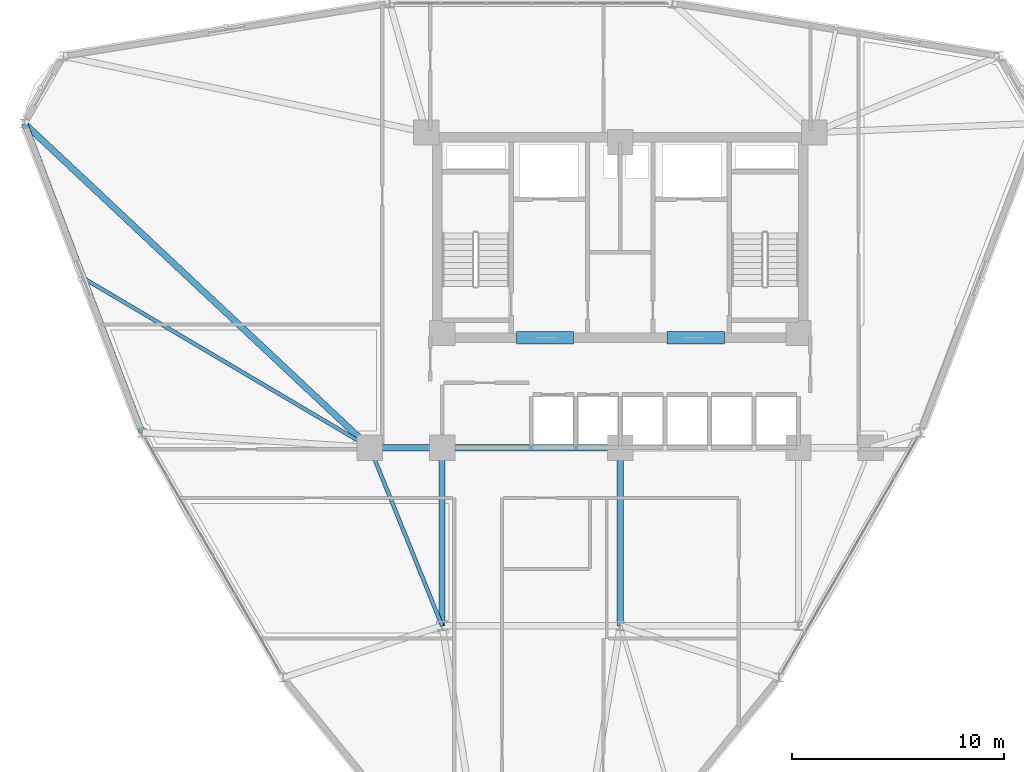
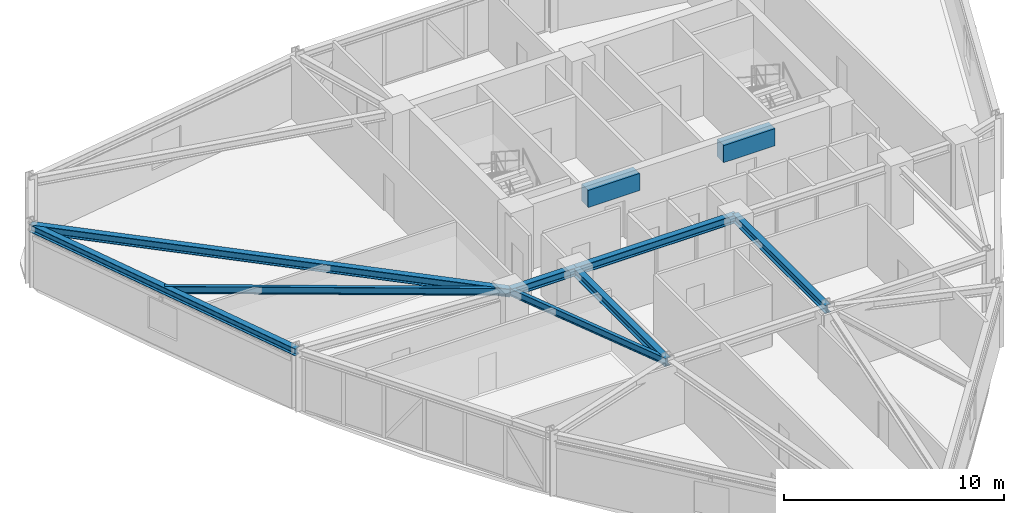
# One storey, part 5 of 18: 10 beams.
"""IFC4 building model written with IfcOpenShell, lengths in metres."""

from ifc_helpers import new_model, si_unit, derived_unit, direction, frame, origin, origin_2d, place, context, subcontext, project, spatial, rectangle, i_section, extrude, source, transform, mapped, material, material_profile, profile_set, type_object, element, save


model = new_model("IFC4")

# Units and contexts
model_context = context("Model", 3, precision=1e-05, world=origin(), true_north=direction((0.0, 1.0)))
body_context = subcontext(model_context, "Body", "Model", "MODEL_VIEW")
ifc_project = project(units=[si_unit("LENGTHUNIT", "METRE"), si_unit("AREAUNIT", "SQUARE_METRE"), si_unit("VOLUMEUNIT", "CUBIC_METRE"), si_unit("PLANEANGLEUNIT", "RADIAN"), si_unit("MASSUNIT", "GRAM", prefix="KILO"), derived_unit("THERMALTRANSMITTANCEUNIT", [(si_unit("POWERUNIT", "WATT"), 1), (si_unit("LENGTHUNIT", "METRE"), -2), (si_unit("THERMODYNAMICTEMPERATUREUNIT", "KELVIN"), -1)])], contexts=[model_context])

# Site, building, storey
site_placement = place(None, origin())
site = spatial("IfcSite", under=ifc_project, at=site_placement, CompositionType="ELEMENT")
building_placement = place(site_placement, origin())
building = spatial("IfcBuilding", under=site, at=building_placement, Name="Korsvarv Bourse and Concert Hall", CompositionType="ELEMENT")
storey_placement = place(building_placement, frame((0.0, 0.0, 139.800048828125)))
storey = spatial("IfcBuildingStorey", under=building, at=storey_placement, Name="L35", CompositionType="ELEMENT", Elevation=139.800048828125)

# Beams
ifc_material_1 = material(Name="Concrete C55/67", Category="concrete")
ifc_material_profile_1 = material_profile(ifc_material_1, rectangle(XDim=0.60009765625, YDim=0.949951171875, at=origin_2d()), Name="RC-BM 600x950")
ifc_profile_set_1 = profile_set([ifc_material_profile_1], Name="Concrete C55/67")
beam_type_1 = type_object("IfcBeamType", Name="BM-CPL", PredefinedType="LINTEL", material=ifc_profile_set_1)
shared_shape_1 = source(origin(), body_context, "Body", "SweptSolid", [
    extrude(rectangle(XDim=0.60009765625, YDim=0.949951171875, at=origin_2d()), origin(), (0.0, 0.0, 1.0), 2.699951171875),
])
for number, where, z_axis, x_axis, name in (
    (1, (31.10009765625, 37.574951171875, 2.925048828125), (1.0, 0.0, 0.0), (0.0, 1.0, 0.0), "L35 Core Coupling Beam West"),
    (2, (38.199951171875, 37.574951171875, 2.925048828125), (1.0, 0.0, 0.0), (0.0, 1.0, 0.0), "L35 Core Coupling Beam East"),
):
    element("IfcBeam", number, at=place(storey_placement, frame(where, z_axis=z_axis, x_axis=x_axis)), inside=storey, type_object=beam_type_1, Name=name, PredefinedType="LINTEL", context=body_context, shape_type="MappedRepresentation", body=[
        mapped(shared_shape_1, transform((0.0, 0.0, 0.0), scale=1.0)),
    ])
ifc_material_2 = material(Name="Steel S355", Category="steel")
ifc_material_profile_2 = material_profile(ifc_material_2, i_section(OverallWidth=0.179931640625, OverallDepth=0.39990234375, WebThickness=0.008544921875, FlangeThickness=0.013427734375, FilletRadius=0.02099609375, at=origin_2d()), Name="IPE 400")
ifc_profile_set_2 = profile_set([ifc_material_profile_2], Name="Steel S355")
beam_type_2 = type_object("IfcBeamType", Name="BM-IPE400", PredefinedType="JOIST", material=ifc_profile_set_2)
shared_shape_2 = source(origin(), body_context, "Body", "SweptSolid", [
    extrude(i_section(OverallWidth=0.179931640625, OverallDepth=0.39990234375, WebThickness=0.008544921875, FlangeThickness=0.013427734375, FilletRadius=0.02099609375, at=origin_2d()), origin(), (0.0, 0.0, 1.0), 9.06201171875),
])
beam_1_placement = place(storey_placement, frame((24.199951171875, 32.39990234375, 3.199951171875), z_axis=(0.375210394783, -0.926939674222, 0.0), x_axis=(0.926939674222, 0.375210394783, 0.0)))
element("IfcBeam", 3, at=beam_1_placement, inside=storey, type_object=beam_type_2, Name="L35 beam J-05", PredefinedType="JOIST", context=body_context, shape_type="MappedRepresentation", body=[
    mapped(shared_shape_2, transform((0.0, 0.0, 0.0), scale=1.0)),
])
ifc_material_profile_3 = material_profile(ifc_material_2, i_section(OverallWidth=0.300048828125, OverallDepth=0.449951171875, WebThickness=0.013916015625, FlangeThickness=0.02587890625, FilletRadius=0.02099609375, at=origin_2d()), Name="HEB 450")
ifc_profile_set_3 = profile_set([ifc_material_profile_3], Name="Steel S355")
beam_type_3 = type_object("IfcBeamType", Name="BM-HEB450", PredefinedType="SPANDREL", material=ifc_profile_set_3)
shared_shape_3 = source(origin(), body_context, "Body", "SweptSolid", [
    extrude(i_section(OverallWidth=0.300048828125, OverallDepth=0.449951171875, WebThickness=0.013916015625, FlangeThickness=0.02587890625, FilletRadius=0.02099609375, at=origin_2d()), origin(), (0.0, 0.0, 1.0), 3.400146484375),
])
beam_2_placement = place(storey_placement, frame((24.199951171875, 32.39990234375, 3.175048828125), z_axis=(1.0, 0.0, 0.0), x_axis=(0.0, 1.0, 0.0)))
element("IfcBeam", 4, at=beam_2_placement, inside=storey, type_object=beam_type_3, Name="L35 beam B-08", PredefinedType="SPANDREL", context=body_context, shape_type="MappedRepresentation", body=[
    mapped(shared_shape_3, transform((0.0, 0.0, 0.0), scale=1.0)),
])
shared_shape_4 = source(origin(), body_context, "Body", "SweptSolid", [
    extrude(i_section(OverallWidth=0.300048828125, OverallDepth=0.449951171875, WebThickness=0.013916015625, FlangeThickness=0.02587890625, FilletRadius=0.02099609375, at=origin_2d()), origin(), (0.0, 0.0, 1.0), 8.39990234375),
])
for number, where, z_axis, x_axis, name in (
    (5, (27.60009765625, 32.39990234375, 3.175048828125), (1.0, 0.0, 0.0), (0.0, 1.0, 0.0), "L35 beam B-08"),
    (6, (27.60009765625, 24.0, 3.175048828125), (0.0, 1.0, 0.0), (-1.0, 0.0, 0.0), "L35 beam B-08"),
    (7, (36.0, 24.0, 3.175048828125), (0.0, 1.0, 0.0), (-1.0, 0.0, 0.0), "L35 beam B-08"),
):
    element("IfcBeam", number, at=place(storey_placement, frame(where, z_axis=z_axis, x_axis=x_axis)), inside=storey, type_object=beam_type_3, Name=name, PredefinedType="SPANDREL", context=body_context, shape_type="MappedRepresentation", body=[
        mapped(shared_shape_4, transform((0.0, 0.0, 0.0), scale=1.0)),
    ])
ifc_material_profile_4 = material_profile(ifc_material_2, i_section(OverallWidth=0.300048828125, OverallDepth=0.39990234375, WebThickness=0.013427734375, FlangeThickness=0.02392578125, FilletRadius=0.02099609375, at=origin_2d()), Name="HEB 400")
ifc_profile_set_4 = profile_set([ifc_material_profile_4], Name="Steel S355")
beam_type_4 = type_object("IfcBeamType", Name="BM-HEB400", PredefinedType="SPANDREL", material=ifc_profile_set_4)
shared_shape_5 = source(origin(), body_context, "Body", "SweptSolid", [
    extrude(i_section(OverallWidth=0.300048828125, OverallDepth=0.39990234375, WebThickness=0.013427734375, FlangeThickness=0.02392578125, FilletRadius=0.02099609375, at=origin_2d()), origin(), (0.0, 0.0, 1.0), 15.5927734375),
])
beam_3_placement = place(storey_placement, frame((7.913818359375, 47.677978515625, 3.199951171875), z_axis=(0.355294650218, -0.934754358923, 0.0), x_axis=(0.934754358923, 0.355294650218, 0.0)))
element("IfcBeam", 8, at=beam_3_placement, inside=storey, type_object=beam_type_4, Name="L35 beam B-09", PredefinedType="SPANDREL", context=body_context, shape_type="MappedRepresentation", body=[
    mapped(shared_shape_5, transform((0.0, 0.0, 0.0), scale=1.0)),
])
shared_shape_6 = source(origin(), body_context, "Body", "SweptSolid", [
    extrude(i_section(OverallWidth=0.300048828125, OverallDepth=0.449951171875, WebThickness=0.013916015625, FlangeThickness=0.02587890625, FilletRadius=0.02099609375, at=origin_2d()), origin(), (0.0, 0.0, 1.0), 22.33056640625),
])
beam_4_placement = place(storey_placement, frame((7.913818359375, 47.677978515625, 3.175048828125), z_axis=(0.729317597648, -0.684175300462, 0.0), x_axis=(0.684175300462, 0.729317597648, 0.0)))
element("IfcBeam", 9, at=beam_4_placement, inside=storey, type_object=beam_type_3, Name="L35 beam B-08", PredefinedType="SPANDREL", context=body_context, shape_type="MappedRepresentation", body=[
    mapped(shared_shape_6, transform((0.0, 0.0, 0.0), scale=1.0)),
])
shared_shape_7 = source(origin(), body_context, "Body", "SweptSolid", [
    extrude(i_section(OverallWidth=0.179931640625, OverallDepth=0.39990234375, WebThickness=0.008544921875, FlangeThickness=0.013427734375, FilletRadius=0.02099609375, at=origin_2d()), origin(), (0.0, 0.0, 1.0), 15.701171875),
])
beam_5_placement = place(storey_placement, frame((10.683837890625, 40.39013671875, 3.199951171875), z_axis=(0.860830551235, -0.508891699737, 0.0), x_axis=(0.508891699737, 0.860830551235, 0.0)))
element("IfcBeam", 10, at=beam_5_placement, inside=storey, type_object=beam_type_2, Name="L35 beam J-05", PredefinedType="JOIST", context=body_context, shape_type="MappedRepresentation", body=[
    mapped(shared_shape_7, transform((0.0, 0.0, 0.0), scale=1.0)),
])

save(model, "model.ifc")
